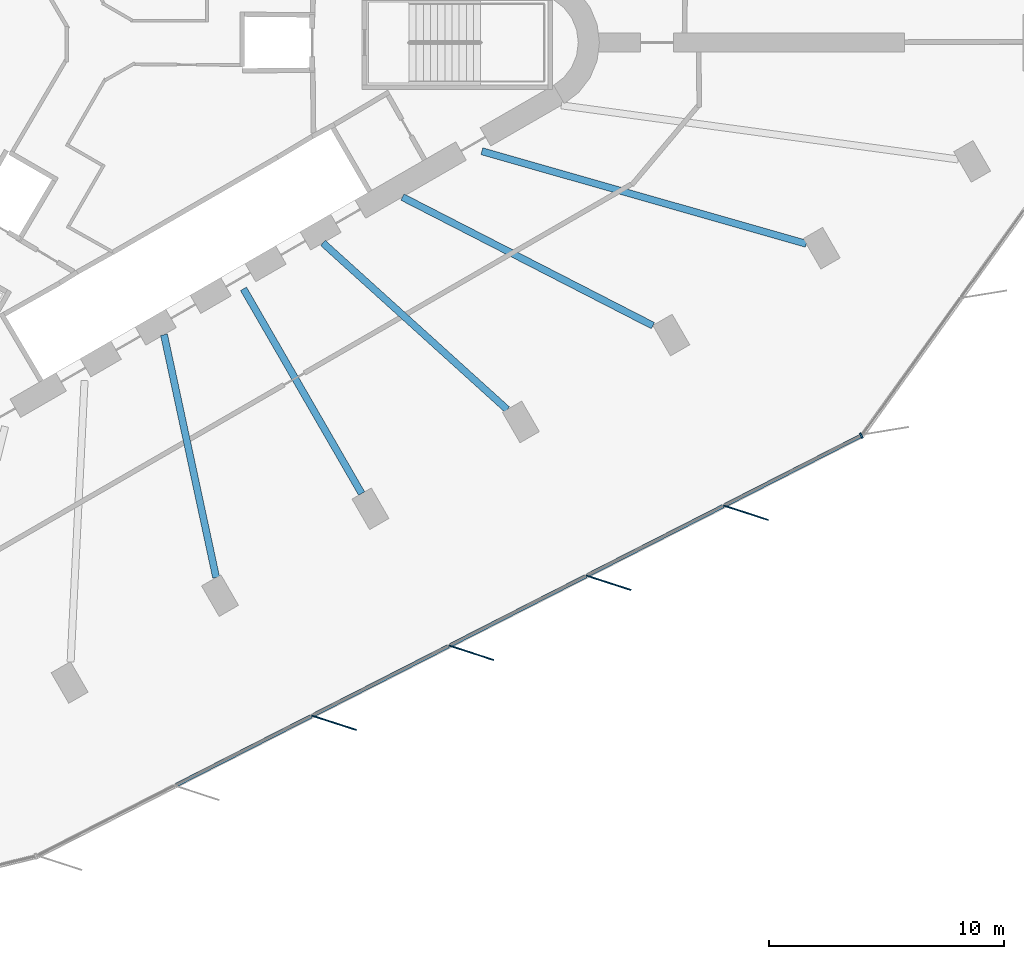
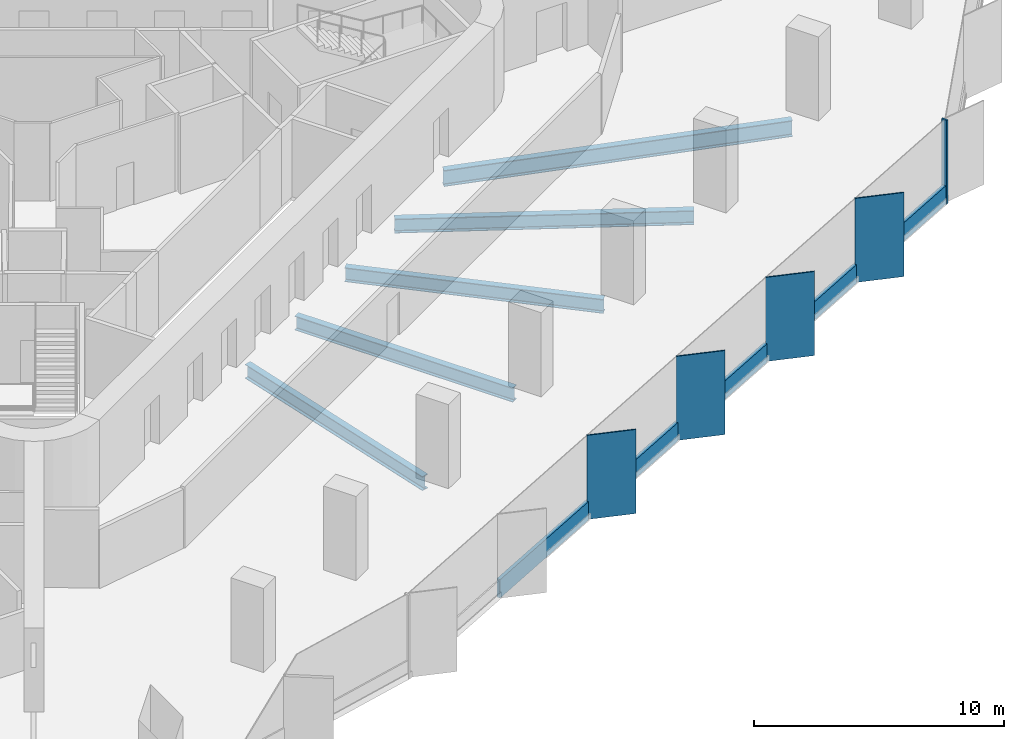
# One storey, part 3 of 14: 10 members, 5 beams, 1 element without a shape of its own.
"""IFC4 building model written with IfcOpenShell, lengths in metres."""

from ifc_helpers import new_model, si_unit, direction, frame, origin, origin_2d, place, context, subcontext, project, spatial, rectangle, i_section, extrude, material, material_profile, profile_set, type_object, element, aggregate, save


model = new_model("IFC4")

# Units and contexts
model_context = context("Model", 3, precision=1e-05, world=origin(), true_north=direction((0.0, 1.0)))
body_context = subcontext(model_context, "Body", "Model", "MODEL_VIEW")
ifc_project = project(units=[si_unit("LENGTHUNIT", "METRE"), si_unit("AREAUNIT", "SQUARE_METRE"), si_unit("VOLUMEUNIT", "CUBIC_METRE"), si_unit("PLANEANGLEUNIT", "RADIAN"), si_unit("MASSUNIT", "GRAM", prefix="KILO")], contexts=[model_context])

# Site, building, storey
site_placement = place(None, origin())
site = spatial("IfcSite", under=ifc_project, at=site_placement, CompositionType="ELEMENT")
building_placement = place(site_placement, origin())
building = spatial("IfcBuilding", under=site, at=building_placement, Name="Tanit Gate Tower", CompositionType="ELEMENT")
storey_placement = place(building_placement, frame((0.0, 0.0, 111.10009765625)))
storey = spatial("IfcBuildingStorey", under=building, at=storey_placement, Name="L23", CompositionType="ELEMENT", Elevation=111.10009765625)

# Curtain wall, members
ifc_material_1 = material(Name="Aluminium bronze anodised and glass", Category="aluminium")
curtain_wall_type = type_object("IfcCurtainWallType", Name="Curtain wall typical low", PredefinedType="NOTDEFINED", material=ifc_material_1)
curtain_wall_placement = place(storey_placement, origin())
curtain_wall = element("IfcCurtainWall", 1, at=curtain_wall_placement, inside=storey, type_object=curtain_wall_type, Name="Curtain wall L23 SE2", PredefinedType="NOTDEFINED")
ifc_material_2 = material(Name="Aluminium bronze anodised", Category="aluminium")
ifc_material_profile_1 = material_profile(ifc_material_2, rectangle(XDim=2.0, YDim=0.055908203125, at=origin_2d()), Name="56x2000 bronze fin mullion")
ifc_profile_set_1 = profile_set([ifc_material_profile_1], Name="Aluminium bronze anodised")
member_type_1 = type_object("IfcMemberType", Name="FIN MULLION 56x2000 bronze", PredefinedType="MULLION", material=ifc_profile_set_1)
member_1_placement = place(storey_placement, frame((9.904052734375, -28.94580078125, -0.300048828125), z_axis=(0.0, 0.0, 1.0), x_axis=(-0.95115950718, 0.308699841109, 0.0)))
member_1 = element("IfcMember", 2, at=member_1_placement, type_object=member_type_1, Name="Fin mullion L23 SE2.3", PredefinedType="MULLION", context=body_context, shape_type="SweptSolid", body=[
    extrude(rectangle(XDim=2.0, YDim=0.055908203125, at=origin_2d()), origin(), (0.0, 0.0, 1.0), 4.099853515625),
])
member_2_placement = place(storey_placement, frame((15.745849609375, -25.966796875, -0.300048828125), z_axis=(0.0, 0.0, 1.0), x_axis=(-0.95115950718, 0.308699841109, 0.0)))
member_2 = element("IfcMember", 3, at=member_2_placement, type_object=member_type_1, Name="Fin mullion L23 SE2.4", PredefinedType="MULLION", context=body_context, shape_type="SweptSolid", body=[
    extrude(rectangle(XDim=2.0, YDim=0.055908203125, at=origin_2d()), origin(), (0.0, 0.0, 1.0), 4.099853515625),
])
member_3_placement = place(storey_placement, frame((21.587890625, -22.98779296875, -0.300048828125), z_axis=(0.0, 0.0, 1.0), x_axis=(-0.95115950718, 0.308699841109, 0.0)))
member_3 = element("IfcMember", 4, at=member_3_placement, type_object=member_type_1, Name="Fin mullion L23 SE2.5", PredefinedType="MULLION", context=body_context, shape_type="SweptSolid", body=[
    extrude(rectangle(XDim=2.0, YDim=0.055908203125, at=origin_2d()), origin(), (0.0, 0.0, 1.0), 4.099853515625),
])
member_4_placement = place(storey_placement, frame((27.429931640625, -20.008544921875, -0.300048828125), z_axis=(0.0, 0.0, 1.0), x_axis=(-0.95115950718, 0.308699841109, 0.0)))
member_4 = element("IfcMember", 5, at=member_4_placement, type_object=member_type_1, Name="Fin mullion L23 SE2.6", PredefinedType="MULLION", context=body_context, shape_type="SweptSolid", body=[
    extrude(rectangle(XDim=2.0, YDim=0.055908203125, at=origin_2d()), origin(), (0.0, 0.0, 1.0), 4.099853515625),
])
ifc_material_3 = material(Name="Aluminium bronze anodised", Category="aluminium")
ifc_material_profile_2 = material_profile(ifc_material_3, rectangle(XDim=0.239990234375, YDim=0.080078125, at=origin_2d()), Name="80x240 bronze mullion")
ifc_profile_set_2 = profile_set([ifc_material_profile_2], Name="Aluminium bronze anodised")
member_type_2 = type_object("IfcMemberType", Name="Mullion 80x240 typical low", PredefinedType="MULLION", material=ifc_profile_set_2)
member_5_placement = place(storey_placement, frame((32.34228515625, -16.727783203125, -0.300048828125), z_axis=(0.0, 0.0, 1.0), x_axis=(-0.454287586518, 0.890855088516, 0.0)))
member_5 = element("IfcMember", 6, at=member_5_placement, type_object=member_type_2, Name="Mullion L23 SE2.7", PredefinedType="MULLION", context=body_context, shape_type="SweptSolid", body=[
    extrude(rectangle(XDim=0.239990234375, YDim=0.080078125, at=origin_2d()), origin(), (0.0, 0.0, 1.0), 4.099853515625),
])

# Beams
ifc_material_4 = material(Name="Steel S355", Category="steel")
ifc_material_profile_3 = material_profile(ifc_material_4, i_section(OverallWidth=0.300048828125, OverallDepth=0.68994140625, WebThickness=0.014404296875, FlangeThickness=0.027099609375, FilletRadius=0.027099609375, at=origin_2d()), Name="HEA 700")
ifc_profile_set_3 = profile_set([ifc_material_profile_3], Name="Steel S355")
beam_type_1 = type_object("IfcBeamType", Name="RADIAL GIRDER HEA 700 S355", PredefinedType="BEAM", material=ifc_profile_set_3)
beam_1_placement = place(storey_placement, frame((4.887939453125, -22.764892578125, -0.64501953125), z_axis=(-0.209940874713, 0.977714083526, 0.0), x_axis=(-0.977714083526, -0.209940874713, 0.0)))
element("IfcBeam", 7, at=beam_1_placement, inside=storey, type_object=beam_type_1, Name="RADIAL GIRDER", PredefinedType="BEAM", context=body_context, shape_type="SweptSolid", body=[
    extrude(i_section(OverallWidth=0.300048828125, OverallDepth=0.68994140625, WebThickness=0.014404296875, FlangeThickness=0.027099609375, FilletRadius=0.027099609375, at=origin_2d()), origin(), (0.0, 0.0, 1.0), 10.5673828125),
])
beam_2_placement = place(storey_placement, frame((11.07958984375, -19.190185546875, -0.64501953125), z_axis=(-0.500011042411, 0.866019028352, 0.0), x_axis=(-0.866019028352, -0.500011042411, 0.0)))
element("IfcBeam", 8, at=beam_2_placement, inside=storey, type_object=beam_type_1, Name="RADIAL GIRDER", PredefinedType="BEAM", context=body_context, shape_type="SweptSolid", body=[
    extrude(i_section(OverallWidth=0.300048828125, OverallDepth=0.68994140625, WebThickness=0.014404296875, FlangeThickness=0.027099609375, FilletRadius=0.027099609375, at=origin_2d()), origin(), (0.0, 0.0, 1.0), 10.056884765625),
])
beam_3_placement = place(storey_placement, frame((17.27099609375, -15.615478515625, -0.64501953125), z_axis=(-0.741757410194, 0.670668281957, 0.0), x_axis=(-0.670668281957, -0.741757410194, 0.0)))
element("IfcBeam", 9, at=beam_3_placement, inside=storey, type_object=beam_type_1, Name="RADIAL GIRDER", PredefinedType="BEAM", context=body_context, shape_type="SweptSolid", body=[
    extrude(i_section(OverallWidth=0.300048828125, OverallDepth=0.68994140625, WebThickness=0.014404296875, FlangeThickness=0.027099609375, FilletRadius=0.027099609375, at=origin_2d()), origin(), (0.0, 0.0, 1.0), 10.5673828125),
])
beam_4_placement = place(storey_placement, frame((23.4775390625, -12.04833984375, -0.64501953125), z_axis=(-0.889684882484, 0.456575086792, 0.0), x_axis=(-0.456575086792, -0.889684882484, 0.0)))
element("IfcBeam", 10, at=beam_4_placement, inside=storey, type_object=beam_type_1, Name="RADIAL GIRDER", PredefinedType="BEAM", context=body_context, shape_type="SweptSolid", body=[
    extrude(i_section(OverallWidth=0.300048828125, OverallDepth=0.68994140625, WebThickness=0.014404296875, FlangeThickness=0.027099609375, FilletRadius=0.027099609375, at=origin_2d()), origin(), (0.0, 0.0, 1.0), 11.98583984375),
])
ifc_material_5 = material(Name="Steel S355", Category="steel")
ifc_material_profile_4 = material_profile(ifc_material_5, i_section(OverallWidth=0.300048828125, OverallDepth=0.7900390625, WebThickness=0.014892578125, FlangeThickness=0.028076171875, FilletRadius=0.030029296875, at=origin_2d()), Name="HEA 800")
ifc_profile_set_4 = profile_set([ifc_material_profile_4], Name="Steel S355")
beam_type_2 = type_object("IfcBeamType", Name="RADIAL GIRDER HEA 800 S355", PredefinedType="BEAM", material=ifc_profile_set_4)
beam_5_placement = place(storey_placement, frame((30.00146484375, -8.565185546875, -0.695068359375), z_axis=(-0.96158167718, 0.274518994083, 0.0), x_axis=(-0.274518994083, -0.96158167718, 0.0)))
element("IfcBeam", 11, at=beam_5_placement, inside=storey, type_object=beam_type_2, Name="RADIAL GIRDER", PredefinedType="BEAM", context=body_context, shape_type="SweptSolid", body=[
    extrude(i_section(OverallWidth=0.300048828125, OverallDepth=0.7900390625, WebThickness=0.014892578125, FlangeThickness=0.028076171875, FilletRadius=0.030029296875, at=origin_2d()), origin(), (0.0, 0.0, 1.0), 14.357421875),
])

# Member
ifc_material_6 = material(Name="Aluminium bronze anodised", Category="aluminium")
ifc_material_profile_5 = material_profile(ifc_material_6, rectangle(XDim=0.159912109375, YDim=0.89990234375, at=origin_2d()), Name="160x900 bronze transom")
ifc_profile_set_5 = profile_set([ifc_material_profile_5], Name="Aluminium bronze anodised")
member_type_3 = type_object("IfcMemberType", Name="Transom 160x900 typical low", PredefinedType="USERDEFINED", material=ifc_profile_set_5)
member_6_placement = place(storey_placement, frame((3.16796875, -31.60498046875, 0.14990234375), z_axis=(0.890863979718, 0.454270150507, 0.0), x_axis=(-0.454270150507, 0.890863979718, 0.0)))
member_6 = element("IfcMember", 12, at=member_6_placement, type_object=member_type_3, Name="Transom L23 SE2.2", ObjectType="TRANSOM", PredefinedType="USERDEFINED", context=body_context, shape_type="SweptSolid", body=[
    extrude(rectangle(XDim=0.159912109375, YDim=0.89990234375, at=origin_2d()), origin(), (0.0, 0.0, 1.0), 6.477783203125),
])

member_7_placement = place(storey_placement, frame((9.010009765625, -28.6259765625, 0.14990234375), z_axis=(0.89084872685, 0.45430006149, 0.0), x_axis=(-0.45430006149, 0.89084872685, 0.0)))
member_7 = element("IfcMember", 13, at=member_7_placement, type_object=member_type_3, Name="Transom L23 SE2.3", ObjectType="TRANSOM", PredefinedType="USERDEFINED", context=body_context, shape_type="SweptSolid", body=[
    extrude(rectangle(XDim=0.159912109375, YDim=0.89990234375, at=origin_2d()), origin(), (0.0, 0.0, 1.0), 6.477783203125),
])

member_8_placement = place(storey_placement, frame((14.85205078125, -25.64697265625, 0.14990234375), z_axis=(0.890840947934, 0.454315315045, 0.0), x_axis=(-0.454315315045, 0.890840947934, 0.0)))
member_8 = element("IfcMember", 14, at=member_8_placement, type_object=member_type_3, Name="Transom L23 SE2.4", ObjectType="TRANSOM", PredefinedType="USERDEFINED", context=body_context, shape_type="SweptSolid", body=[
    extrude(rectangle(XDim=0.159912109375, YDim=0.89990234375, at=origin_2d()), origin(), (0.0, 0.0, 1.0), 6.4775390625),
])

member_9_placement = place(storey_placement, frame((20.69384765625, -22.667724609375, 0.14990234375), z_axis=(0.890863979718, 0.454270150507, 0.0), x_axis=(-0.454270150507, 0.890863979718, 0.0)))
member_9 = element("IfcMember", 15, at=member_9_placement, type_object=member_type_3, Name="Transom L23 SE2.5", ObjectType="TRANSOM", PredefinedType="USERDEFINED", context=body_context, shape_type="SweptSolid", body=[
    extrude(rectangle(XDim=0.159912109375, YDim=0.89990234375, at=origin_2d()), origin(), (0.0, 0.0, 1.0), 6.477783203125),
])

member_10_placement = place(storey_placement, frame((26.535888671875, -19.688720703125, 0.14990234375), z_axis=(0.89084872685, 0.45430006149, 0.0), x_axis=(-0.45430006149, 0.89084872685, 0.0)))
member_10 = element("IfcMember", 16, at=member_10_placement, type_object=member_type_3, Name="Transom L23 SE2.6", ObjectType="TRANSOM", PredefinedType="USERDEFINED", context=body_context, shape_type="SweptSolid", body=[
    extrude(rectangle(XDim=0.159912109375, YDim=0.89990234375, at=origin_2d()), origin(), (0.0, 0.0, 1.0), 6.477783203125),
])

aggregate(curtain_wall, [member_1, member_2, member_3, member_4, member_5, member_6, member_7, member_8, member_9, member_10])

save(model, "model.ifc")
